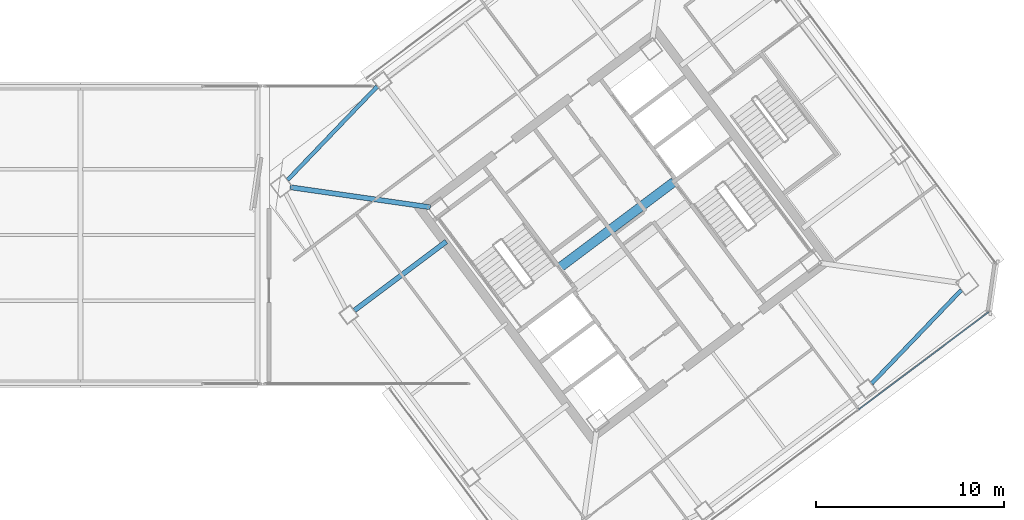
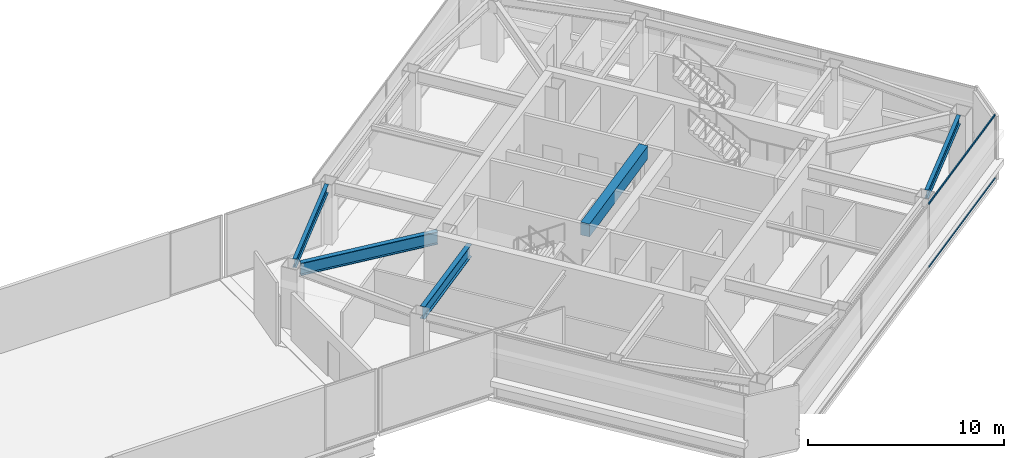
# One storey, part 31 of 51: 5 beams, 2 members, 1 element without a shape of its own.
"""IFC4 building model written with IfcOpenShell, lengths in metres."""

from ifc_helpers import new_model, si_unit, direction, frame, origin, origin_2d, place, context, subcontext, project, spatial, rectangle, hollow_rectangle, i_section, extrude, material, material_profile, profile_set, type_object, element, aggregate, save


model = new_model("IFC4")

# Units and contexts
model_context = context("Model", 3, precision=1e-05, world=origin(), true_north=direction((0.0, 1.0)))
body_context = subcontext(model_context, "Body", "Model", "MODEL_VIEW")
ifc_project = project(units=[si_unit("LENGTHUNIT", "METRE"), si_unit("AREAUNIT", "SQUARE_METRE"), si_unit("VOLUMEUNIT", "CUBIC_METRE"), si_unit("PLANEANGLEUNIT", "RADIAN"), si_unit("MASSUNIT", "GRAM", prefix="KILO")], contexts=[model_context])

# Site, building, storey
site_placement = place(None, origin())
site = spatial("IfcSite", under=ifc_project, at=site_placement, CompositionType="ELEMENT")
building_placement = place(site_placement, origin())
building = spatial("IfcBuilding", under=site, at=building_placement, Name="Tashvorn Skyway Center", CompositionType="ELEMENT")
storey_placement = place(building_placement, frame((0.0, 0.0, 251.39990234375)))
storey = spatial("IfcBuildingStorey", under=building, at=storey_placement, Name="L68", CompositionType="ELEMENT", Elevation=251.39990234375)

# Beams
ifc_material_1 = material(Name="Steel ASTM A992 Grade 50", Category="steel")
ifc_material_profile_1 = material_profile(ifc_material_1, i_section(OverallWidth=0.26708984375, OverallDepth=0.779052734375, WebThickness=0.0166015625, FlangeThickness=0.030029296875, at=origin_2d()), Name="W30X148")
ifc_profile_set_1 = profile_set([ifc_material_profile_1], Name="Steel ASTM A992 Grade 50")
beam_type_1 = type_object("IfcBeamType", Name="BM-BEAM-W30X148", PredefinedType="BEAM", material=ifc_profile_set_1)
beam_1_placement = place(storey_placement, frame((96.240478515625, 34.537109375, 3.390625), z_axis=(0.989948195795, -0.141430441004, 0.0), x_axis=(0.141430441004, 0.989948195795, 0.0)))
element("IfcBeam", 1, at=beam_1_placement, inside=storey, type_object=beam_type_1, Name="Tower 2 L68 Primary Floor Girder MC-NW", PredefinedType="BEAM", context=body_context, shape_type="SweptSolid", body=[
    extrude(i_section(OverallWidth=0.26708984375, OverallDepth=0.779052734375, WebThickness=0.0166015625, FlangeThickness=0.030029296875, at=origin_2d()), origin(), (0.0, 0.0, 1.0), 7.524658203125),
])
beam_2_placement = place(storey_placement, frame((99.656005859375, 27.991943359375, 3.390625), z_axis=(0.799980788524, 0.600025614447, 0.0), x_axis=(-0.600025614447, 0.799980788524, 0.0)))
element("IfcBeam", 2, at=beam_2_placement, inside=storey, type_object=beam_type_1, Name="Tower 2 L68 Primary Floor Girder FC-W1", PredefinedType="BEAM", context=body_context, shape_type="SweptSolid", body=[
    extrude(i_section(OverallWidth=0.26708984375, OverallDepth=0.779052734375, WebThickness=0.0166015625, FlangeThickness=0.030029296875, at=origin_2d()), origin(), (0.0, 0.0, 1.0), 6.10009765625),
])
ifc_material_2 = material(Name="Concrete C50/60", Category="concrete")
ifc_material_profile_2 = material_profile(ifc_material_2, rectangle(XDim=0.5, YDim=0.800048828125, at=origin_2d()), Name="RCB500x800")
ifc_profile_set_2 = profile_set([ifc_material_profile_2], Name="Concrete C50/60")
beam_type_2 = type_object("IfcBeamType", Name="BM-LINTEL-RCB500x800", PredefinedType="LINTEL", material=ifc_profile_set_2)
beam_3_placement = place(storey_placement, frame((110.552001953125, 30.263916015625, 3.380126953125), z_axis=(0.8, 0.6, 0.0), x_axis=(-0.6, 0.8, 0.0)))
element("IfcBeam", 3, at=beam_3_placement, inside=storey, type_object=beam_type_2, Name="Tower 2 L68 Core Coupling Beam CN", PredefinedType="LINTEL", context=body_context, shape_type="SweptSolid", body=[
    extrude(rectangle(XDim=0.5, YDim=0.800048828125, at=origin_2d()), origin(), (0.0, 0.0, 1.0), 7.60009765625),
])
ifc_material_profile_3 = material_profile(ifc_material_1, i_section(OverallWidth=0.2109375, OverallDepth=0.5390625, WebThickness=0.01171875, FlangeThickness=0.018798828125, at=origin_2d()), Name="W21X73")
ifc_profile_set_3 = profile_set([ifc_material_profile_3], Name="Steel ASTM A992 Grade 50")
beam_type_3 = type_object("IfcBeamType", Name="BM-SPANDREL-W21X73", PredefinedType="SPANDREL", material=ifc_profile_set_3)
for number, where, z_axis, x_axis, name in (
    (4, (127.1259765625, 24.107177734375, 3.510498046875), (0.692025461493, 0.721873091786, 0.0), (-0.721873091786, 0.692025461493, 0.0), "Tower 2 L68 Spandrel Beam 03"),
    (5, (100.8740234375, 39.892822265625, 3.510498046875), (-0.692025461493, -0.721873091786, 0.0), (0.721873091786, -0.692025461493, 0.0), "Tower 2 L68 Spandrel Beam 09"),
):
    element("IfcBeam", number, at=place(storey_placement, frame(where, z_axis=z_axis, x_axis=x_axis)), inside=storey, type_object=beam_type_3, Name=name, PredefinedType="SPANDREL", context=body_context, shape_type="SweptSolid", body=[
        extrude(i_section(OverallWidth=0.2109375, OverallDepth=0.5390625, WebThickness=0.01171875, FlangeThickness=0.018798828125, at=origin_2d()), origin(), (0.0, 0.0, 1.0), 6.88720703125),
    ])

# Curtain wall, members
ifc_material_3 = material(Name="Thermally broken bronze-anodized aluminium 6063-T6", Category="aluminium")
curtain_wall_type = type_object("IfcCurtainWallType", Name="CW-CW-SKY", PredefinedType="NOTDEFINED", material=ifc_material_3)
curtain_wall_placement = place(storey_placement, origin())
curtain_wall = element("IfcCurtainWall", 6, at=curtain_wall_placement, inside=storey, type_object=curtain_wall_type, Name="Tower 2 L68 South Unitised Curtain Wall", PredefinedType="NOTDEFINED")
ifc_material_profile_4 = material_profile(ifc_material_3, hollow_rectangle(XDim=0.06494140625, YDim=0.10498046875, WallThickness=0.00390625, at=origin_2d()), Name="ALU-TRAN-65x105")
ifc_profile_set_4 = profile_set([ifc_material_profile_4], Name="Thermally broken bronze-anodized aluminium 6063-T6")
member_type = type_object("IfcMemberType", Name="CWT-CW-SKY", PredefinedType="USERDEFINED", material=ifc_profile_set_4)
member_1_placement = place(storey_placement, frame((133.340087890625, 27.905029296875, 0.03271484375), z_axis=(-0.80000339763, -0.599995469799, 0.0), x_axis=(0.599995469799, -0.80000339763, 0.0)))
member_1 = element("IfcMember", 7, at=member_1_placement, type_object=member_type, Name="CW-SKY transom 1.1", ObjectType="TRANSOM", PredefinedType="USERDEFINED", context=body_context, shape_type="SweptSolid", body=[
    extrude(hollow_rectangle(XDim=0.06494140625, YDim=0.10498046875, WallThickness=0.00390625, at=origin_2d()), origin(), (0.0, 0.0, 1.0), 8.622802734375),
])
member_2_placement = place(storey_placement, frame((133.340087890625, 27.905029296875, 3.967529296875), z_axis=(-0.80000339763, -0.599995469799, 0.0), x_axis=(0.599995469799, -0.80000339763, 0.0)))
member_2 = element("IfcMember", 8, at=member_2_placement, type_object=member_type, Name="CW-SKY transom 1.2", ObjectType="TRANSOM", PredefinedType="USERDEFINED", context=body_context, shape_type="SweptSolid", body=[
    extrude(hollow_rectangle(XDim=0.06494140625, YDim=0.10498046875, WallThickness=0.00390625, at=origin_2d()), origin(), (0.0, 0.0, 1.0), 8.622802734375),
])
aggregate(curtain_wall, [member_1, member_2])

save(model, "model.ifc")
